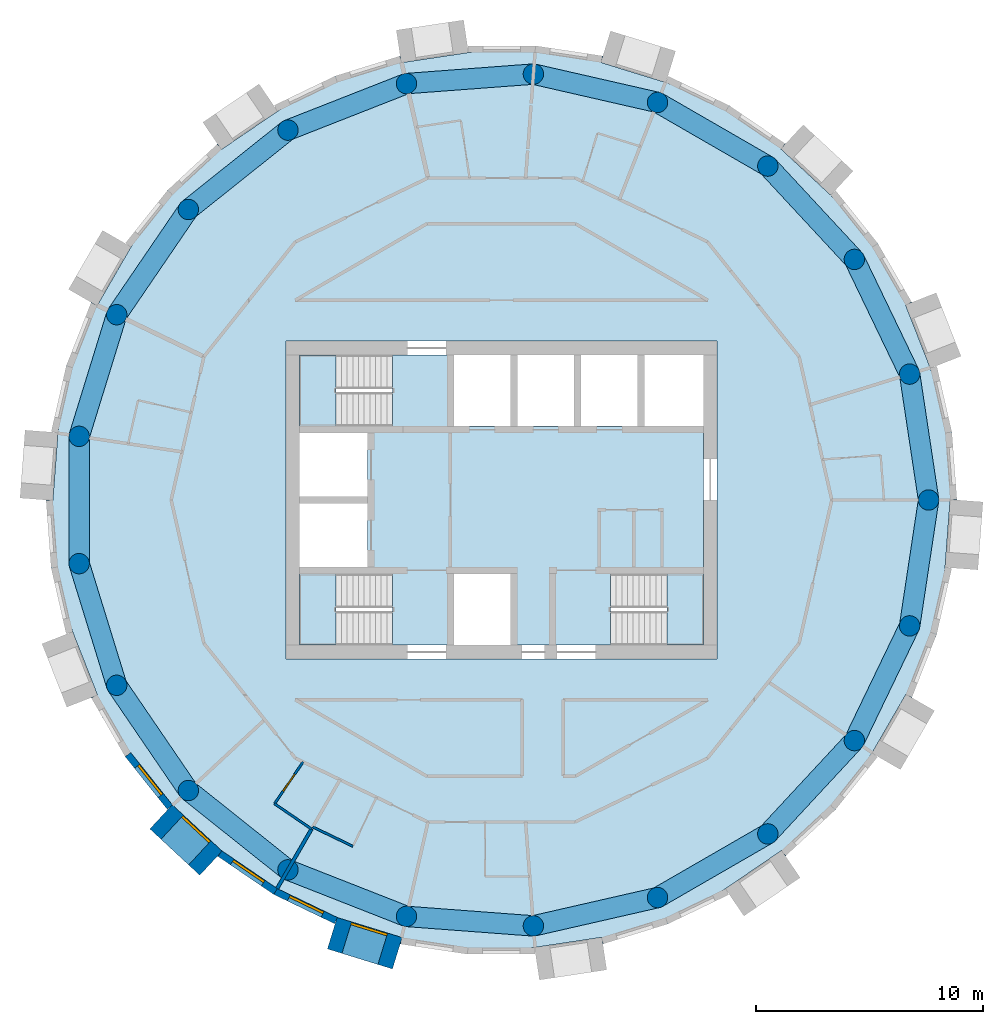
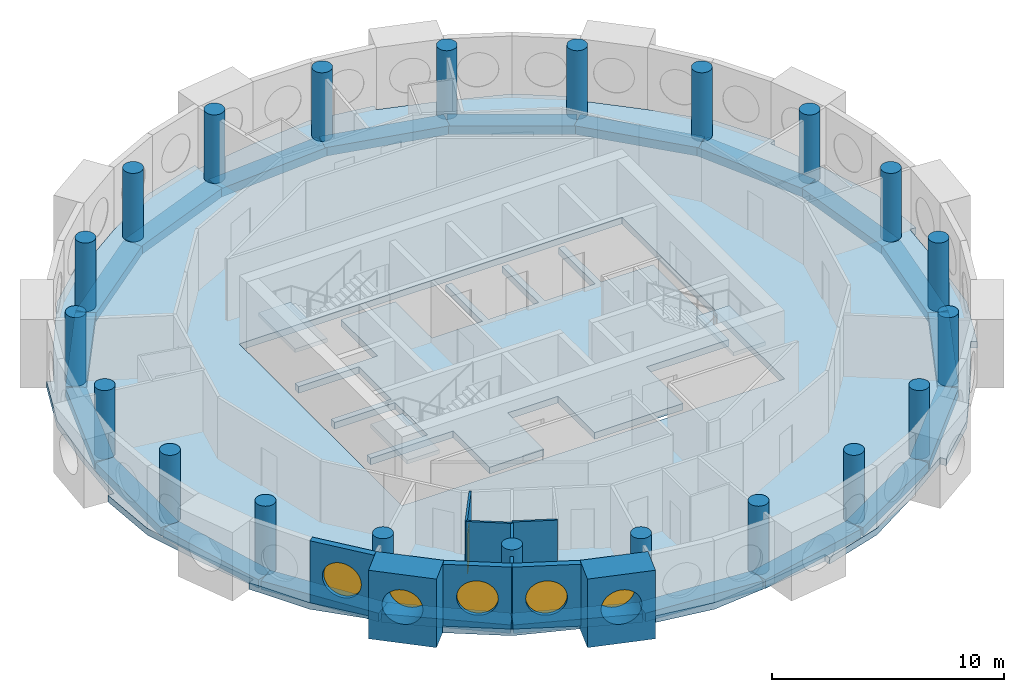
# One storey, part 1 of 13: 21 beams, 21 columns, 9 walls, 5 slabs, 5 windows, 1 door, 6 openings, 3 elements without a shape of their own.
"""IFC4 building model written with IfcOpenShell, lengths in metres."""

from ifc_helpers import new_model, si_unit, direction, frame, frame_2d, origin, origin_2d, place, context, subcontext, project, spatial, polyline, rectangle, circle, outline, extrude, material, layer, layer_set, material_profile, profile_set, type_object, element, fill, aggregate, save


model = new_model("IFC4")

# Units and contexts
model_context = context("Model", 3, precision=1e-05, world=origin(), true_north=direction((0.0, 1.0)))
body_context = subcontext(model_context, "Body", "Model", "MODEL_VIEW")
ifc_project = project(units=[si_unit("LENGTHUNIT", "METRE"), si_unit("AREAUNIT", "SQUARE_METRE"), si_unit("VOLUMEUNIT", "CUBIC_METRE"), si_unit("PLANEANGLEUNIT", "RADIAN"), si_unit("MASSUNIT", "GRAM", prefix="KILO")], contexts=[model_context])

# Site, building, storey
site_placement = place(None, origin())
site = spatial("IfcSite", under=ifc_project, at=site_placement, CompositionType="ELEMENT")
building_placement = place(site_placement, origin())
building = spatial("IfcBuilding", under=site, at=building_placement, Name="Tracery Tower", CompositionType="ELEMENT")
storey_placement = place(building_placement, frame((0.0, 0.0, 294.60009765625)))
storey = spatial("IfcBuildingStorey", under=building, at=storey_placement, Name="L76", CompositionType="ELEMENT", Elevation=294.60009765625)

# Columns
ifc_material_1 = material(Name="Concrete C40/50", Category="concrete")
ifc_material_profile_1 = material_profile(ifc_material_1, circle(Radius=0.449951171875, at=origin_2d()), Name="RC D900")
ifc_profile_set_1 = profile_set([ifc_material_profile_1], Name="Concrete C40/50")
column_type = type_object("IfcColumnType", Name="Ring 2 column 900", PredefinedType="COLUMN", material=ifc_profile_set_1)
for number, where, z_axis, x_axis, name in (
    (1, (18.822265625, 0.0, 0.0), (0.0, 0.0, 1.0), (1.0, 0.0, 0.0), "Ring 2 column 00 at L76"),
    (2, (17.986083984375, 5.5478515625, 0.0), (0.0, 0.0, 1.0), (1.0, 0.0, 0.0), "Ring 2 column 01 at L76"),
    (3, (15.551513671875, 10.602783203125, 0.0), (0.0, 0.0, 1.0), (1.0, 0.0, 0.0), "Ring 2 column 02 at L76"),
    (4, (11.7353515625, 14.7158203125, 0.0), (0.0, 0.0, 1.0), (1.0, 0.0, 0.0), "Ring 2 column 03 at L76"),
    (5, (6.87646484375, 17.52099609375, 0.0), (0.0, 0.0, 1.0), (1.0, 0.0, 0.0), "Ring 2 column 04 at L76"),
    (6, (1.406494140625, 18.76953125, 0.0), (0.0, 0.0, 1.0), (1.0, 0.0, 0.0), "Ring 2 column 05 at L76"),
    (7, (-4.188232421875, 18.350341796875, 0.0), (0.0, 0.0, 1.0), (1.0, 0.0, 0.0), "Ring 2 column 06 at L76"),
    (8, (-9.4111328125, 16.300537109375, 0.0), (0.0, 0.0, 1.0), (1.0, 0.0, 0.0), "Ring 2 column 07 at L76"),
    (9, (-13.797607421875, 12.802490234375, 0.0), (0.0, 0.0, 1.0), (1.0, 0.0, 0.0), "Ring 2 column 08 at L76"),
    (10, (-16.958251953125, 8.16650390625, 0.0), (0.0, 0.0, 1.0), (1.0, 0.0, 0.0), "Ring 2 column 09 at L76"),
    (11, (-18.612060546875, 2.805419921875, 0.0), (0.0, 0.0, 1.0), (1.0, 0.0, 0.0), "Ring 2 column 10 at L76"),
    (12, (-18.612060546875, -2.805419921875, 0.0), (0.0, 0.0, 1.0), (1.0, 0.0, 0.0), "Ring 2 column 11 at L76"),
    (13, (-16.958251953125, -8.166748046875, 0.0), (0.0, 0.0, 1.0), (1.0, 0.0, 0.0), "Ring 2 column 12 at L76"),
    (14, (-13.797607421875, -12.80224609375, 0.0), (0.0, 0.0, 1.0), (1.0, 0.0, 0.0), "Ring 2 column 13 at L76"),
    (15, (-9.4111328125, -16.300537109375, 0.0), (0.0, 0.0, 1.0), (1.0, 0.0, 0.0), "Ring 2 column 14 at L76"),
    (16, (-4.188232421875, -18.350341796875, 0.0), (0.0, 0.0, 1.0), (1.0, 0.0, 0.0), "Ring 2 column 15 at L76"),
    (17, (1.406494140625, -18.76953125, 0.0), (0.0, 0.0, 1.0), (1.0, 0.0, 0.0), "Ring 2 column 16 at L76"),
    (18, (6.87646484375, -17.52099609375, 0.0), (0.0, 0.0, 1.0), (1.0, 0.0, 0.0), "Ring 2 column 17 at L76"),
    (19, (11.7353515625, -14.7158203125, 0.0), (0.0, 0.0, 1.0), (1.0, 0.0, 0.0), "Ring 2 column 18 at L76"),
    (20, (15.551513671875, -10.602783203125, 0.0), (0.0, 0.0, 1.0), (1.0, 0.0, 0.0), "Ring 2 column 19 at L76"),
    (21, (17.986083984375, -5.5478515625, 0.0), (0.0, 0.0, 1.0), (1.0, 0.0, 0.0), "Ring 2 column 20 at L76"),
):
    element("IfcColumn", number, at=place(storey_placement, frame(where, z_axis=z_axis, x_axis=x_axis)), inside=storey, type_object=column_type, Name=name, PredefinedType="COLUMN", context=body_context, shape_type="SweptSolid", body=[
        extrude(circle(Radius=0.449951171875, at=origin_2d()), origin(), (0.0, 0.0, 1.0), 3.599853515625),
    ])

# Beams
ifc_material_2 = material(Name="Concrete C40/50", Category="concrete")
ifc_material_profile_2 = material_profile(ifc_material_2, rectangle(XDim=0.89990234375, YDim=0.449951171875, at=origin_2d()), Name="RC 900x450")
ifc_profile_set_2 = profile_set([ifc_material_profile_2], Name="Concrete C40/50")
beam_type = type_object("IfcBeamType", Name="Perimeter band beam 900x450", PredefinedType="BEAM", material=ifc_profile_set_2)
for number, where, z_axis, x_axis, name in (
    (22, (18.822265625, 0.0, -0.5751953125), (-0.149038355855, 0.988831415603, 0.0), (-0.988831415603, -0.149038355855, 0.0), "Perimeter beam 2.00 under L76"),
    (23, (17.986083984375, 5.5478515625, -0.5751953125), (-0.433918973155, 0.900951899235, 0.0), (-0.900951899235, -0.433918973155, 0.0), "Perimeter beam 2.01 under L76"),
):
    element("IfcBeam", number, at=place(storey_placement, frame(where, z_axis=z_axis, x_axis=x_axis)), inside=storey, type_object=beam_type, Name=name, PredefinedType="BEAM", context=body_context, shape_type="SweptSolid", body=[
        extrude(rectangle(XDim=0.89990234375, YDim=0.449951171875, at=origin_2d()), origin(), (0.0, 0.0, 1.0), 5.610595703125),
    ])
beam_1_placement = place(storey_placement, frame((15.551513671875, 10.602783203125, -0.5751953125), z_axis=(-0.680155630824, 0.733067744386, 0.0), x_axis=(-0.733067744386, -0.680155630824, 0.0)))
element("IfcBeam", 24, at=beam_1_placement, inside=storey, type_object=beam_type, Name="Perimeter beam 2.02 under L76", PredefinedType="BEAM", context=body_context, shape_type="SweptSolid", body=[
    extrude(rectangle(XDim=0.89990234375, YDim=0.449951171875, at=origin_2d()), origin(), (0.0, 0.0, 1.0), 5.61083984375),
])
for number, where, z_axis, x_axis, name in (
    (25, (11.7353515625, 14.7158203125, -0.5751953125), (-0.866033412818, 0.49998612769, 0.0), (-0.49998612769, -0.866033412818, 0.0), "Perimeter beam 2.03 under L76"),
    (26, (6.87646484375, 17.52099609375, -0.5751953125), (-0.974925977366, 0.222529410768, 0.0), (-0.222529410768, -0.974925977366, 0.0), "Perimeter beam 2.04 under L76"),
):
    element("IfcBeam", number, at=place(storey_placement, frame(where, z_axis=z_axis, x_axis=x_axis)), inside=storey, type_object=beam_type, Name=name, PredefinedType="BEAM", context=body_context, shape_type="SweptSolid", body=[
        extrude(rectangle(XDim=0.89990234375, YDim=0.449951171875, at=origin_2d()), origin(), (0.0, 0.0, 1.0), 5.610595703125),
    ])
beam_2_placement = place(storey_placement, frame((1.406494140625, 18.76953125, -0.5751953125), z_axis=(-0.997204824387, -0.07471638521, 0.0), x_axis=(0.07471638521, -0.997204824387, 0.0)))
element("IfcBeam", 27, at=beam_2_placement, inside=storey, type_object=beam_type, Name="Perimeter beam 2.05 under L76", PredefinedType="BEAM", context=body_context, shape_type="SweptSolid", body=[
    extrude(rectangle(XDim=0.89990234375, YDim=0.449951171875, at=origin_2d()), origin(), (0.0, 0.0, 1.0), 5.6103515625),
])
beam_3_placement = place(storey_placement, frame((-4.188232421875, 18.350341796875, -0.5751953125), z_axis=(-0.930875728468, -0.365335979817, 0.0), x_axis=(0.365335979817, -0.930875728468, 0.0)))
element("IfcBeam", 28, at=beam_3_placement, inside=storey, type_object=beam_type, Name="Perimeter beam 2.06 under L76", PredefinedType="BEAM", context=body_context, shape_type="SweptSolid", body=[
    extrude(rectangle(XDim=0.89990234375, YDim=0.449951171875, at=origin_2d()), origin(), (0.0, 0.0, 1.0), 5.61083984375),
])
beam_4_placement = place(storey_placement, frame((-9.4111328125, 16.300537109375, -0.5751953125), z_axis=(-0.781835817725, -0.623484365579, 0.0), x_axis=(0.623484365579, -0.781835817725, 0.0)))
element("IfcBeam", 29, at=beam_4_placement, inside=storey, type_object=beam_type, Name="Perimeter beam 2.07 under L76", PredefinedType="BEAM", context=body_context, shape_type="SweptSolid", body=[
    extrude(rectangle(XDim=0.89990234375, YDim=0.449951171875, at=origin_2d()), origin(), (0.0, 0.0, 1.0), 5.610595703125),
])
beam_5_placement = place(storey_placement, frame((-13.797607421875, 12.802490234375, -0.5751953125), z_axis=(-0.563305770578, -0.826248515178, 0.0), x_axis=(0.826248515178, -0.563305770578, 0.0)))
element("IfcBeam", 30, at=beam_5_placement, inside=storey, type_object=beam_type, Name="Perimeter beam 2.08 under L76", PredefinedType="BEAM", context=body_context, shape_type="SweptSolid", body=[
    extrude(rectangle(XDim=0.89990234375, YDim=0.449951171875, at=origin_2d()), origin(), (0.0, 0.0, 1.0), 5.61083984375),
])
beam_6_placement = place(storey_placement, frame((-16.958251953125, 8.16650390625, -0.5751953125), z_axis=(-0.294776851839, -0.955566118916, 0.0), x_axis=(0.955566118916, -0.294776851839, 0.0)))
element("IfcBeam", 31, at=beam_6_placement, inside=storey, type_object=beam_type, Name="Perimeter beam 2.09 under L76", PredefinedType="BEAM", context=body_context, shape_type="SweptSolid", body=[
    extrude(rectangle(XDim=0.89990234375, YDim=0.449951171875, at=origin_2d()), origin(), (0.0, 0.0, 1.0), 5.6103515625),
])
beam_7_placement = place(storey_placement, frame((-18.612060546875, 2.805419921875, -0.5751953125), z_axis=(0.0, -1.0, 0.0), x_axis=(1.0, 0.0, 0.0)))
element("IfcBeam", 32, at=beam_7_placement, inside=storey, type_object=beam_type, Name="Perimeter beam 2.10 under L76", PredefinedType="BEAM", context=body_context, shape_type="SweptSolid", body=[
    extrude(rectangle(XDim=0.89990234375, YDim=0.449951171875, at=origin_2d()), origin(), (0.0, 0.0, 1.0), 5.61083984375),
])
for number, where, z_axis, x_axis, name in (
    (33, (-18.612060546875, -2.805419921875, -0.5751953125), (0.294764594813, -0.955569899926, 0.0), (0.955569899926, 0.294764594813, 0.0), "Perimeter beam 2.11 under L76"),
    (34, (-16.958251953125, -8.166748046875, -0.5751953125), (0.5633462764, -0.826220898348, 0.0), (0.826220898348, 0.5633462764, 0.0), "Perimeter beam 2.12 under L76"),
    (35, (-13.797607421875, -12.80224609375, -0.5751953125), (0.781814605872, -0.623510963853, 0.0), (0.623510963853, 0.781814605872, 0.0), "Perimeter beam 2.13 under L76"),
):
    element("IfcBeam", number, at=place(storey_placement, frame(where, z_axis=z_axis, x_axis=x_axis)), inside=storey, type_object=beam_type, Name=name, PredefinedType="BEAM", context=body_context, shape_type="SweptSolid", body=[
        extrude(rectangle(XDim=0.89990234375, YDim=0.449951171875, at=origin_2d()), origin(), (0.0, 0.0, 1.0), 5.610595703125),
    ])
beam_8_placement = place(storey_placement, frame((-9.4111328125, -16.300537109375, -0.5751953125), z_axis=(0.930875728468, -0.365335979817, 0.0), x_axis=(0.365335979817, 0.930875728468, 0.0)))
element("IfcBeam", 36, at=beam_8_placement, inside=storey, type_object=beam_type, Name="Perimeter beam 2.14 under L76", PredefinedType="BEAM", context=body_context, shape_type="SweptSolid", body=[
    extrude(rectangle(XDim=0.89990234375, YDim=0.449951171875, at=origin_2d()), origin(), (0.0, 0.0, 1.0), 5.61083984375),
])
beam_9_placement = place(storey_placement, frame((-4.188232421875, -18.350341796875, -0.5751953125), z_axis=(0.997204824387, -0.07471638521, 0.0), x_axis=(0.07471638521, 0.997204824387, 0.0)))
element("IfcBeam", 37, at=beam_9_placement, inside=storey, type_object=beam_type, Name="Perimeter beam 2.15 under L76", PredefinedType="BEAM", context=body_context, shape_type="SweptSolid", body=[
    extrude(rectangle(XDim=0.89990234375, YDim=0.449951171875, at=origin_2d()), origin(), (0.0, 0.0, 1.0), 5.6103515625),
])
for number, where, z_axis, x_axis, name in (
    (38, (1.406494140625, -18.76953125, -0.5751953125), (0.974925977366, 0.222529410768, 0.0), (-0.222529410768, 0.974925977366, 0.0), "Perimeter beam 2.16 under L76"),
    (39, (6.87646484375, -17.52099609375, -0.5751953125), (0.866033412818, 0.49998612769, 0.0), (-0.49998612769, 0.866033412818, 0.0), "Perimeter beam 2.17 under L76"),
):
    element("IfcBeam", number, at=place(storey_placement, frame(where, z_axis=z_axis, x_axis=x_axis)), inside=storey, type_object=beam_type, Name=name, PredefinedType="BEAM", context=body_context, shape_type="SweptSolid", body=[
        extrude(rectangle(XDim=0.89990234375, YDim=0.449951171875, at=origin_2d()), origin(), (0.0, 0.0, 1.0), 5.610595703125),
    ])
beam_10_placement = place(storey_placement, frame((11.7353515625, -14.7158203125, -0.5751953125), z_axis=(0.680155630824, 0.733067744386, 0.0), x_axis=(-0.733067744386, 0.680155630824, 0.0)))
element("IfcBeam", 40, at=beam_10_placement, inside=storey, type_object=beam_type, Name="Perimeter beam 2.18 under L76", PredefinedType="BEAM", context=body_context, shape_type="SweptSolid", body=[
    extrude(rectangle(XDim=0.89990234375, YDim=0.449951171875, at=origin_2d()), origin(), (0.0, 0.0, 1.0), 5.61083984375),
])
for number, where, z_axis, x_axis, name in (
    (41, (15.551513671875, -10.602783203125, -0.5751953125), (0.433918973155, 0.900951899235, 0.0), (-0.900951899235, 0.433918973155, 0.0), "Perimeter beam 2.19 under L76"),
    (42, (17.986083984375, -5.5478515625, -0.5751953125), (0.149038355855, 0.988831415603, 0.0), (-0.988831415603, 0.149038355855, 0.0), "Perimeter beam 2.20 under L76"),
):
    element("IfcBeam", number, at=place(storey_placement, frame(where, z_axis=z_axis, x_axis=x_axis)), inside=storey, type_object=beam_type, Name=name, PredefinedType="BEAM", context=body_context, shape_type="SweptSolid", body=[
        extrude(rectangle(XDim=0.89990234375, YDim=0.449951171875, at=origin_2d()), origin(), (0.0, 0.0, 1.0), 5.610595703125),
    ])

# Slabs
ifc_material_3 = material(Name="Concrete C40/50", Category="concrete")
ifc_layer_1 = layer(ifc_material_3, 0.35009765625)
ifc_layer_set_1 = layer_set([ifc_layer_1], Name="Core floor slab 350 C40")
slab_type_1 = type_object("IfcSlabType", Name="Core floor slab 350 C40", PredefinedType="FLOOR", material=ifc_layer_set_1)
slab_1_placement = place(storey_placement, frame((0.0, 0.0, -0.35009765625)))
element("IfcSlab", 43, at=slab_1_placement, inside=storey, type_object=slab_type_1, Name="L76 core floor 1", PredefinedType="FLOOR", context=body_context, shape_type="SweptSolid", body=[
    extrude(outline(polyline([(-4.800537109375, -3.25), (-8.89990234375, -3.25), (-8.89990234375, -2.949951171875), (-5.89990234375, -2.949951171875), (-5.89990234375, -0.14990234375), (-8.89990234375, -0.14990234375), (-8.89990234375, 0.14990234375), (-5.89990234375, 0.14990234375), (-5.89990234375, 2.949951171875), (-8.89990234375, 2.949951171875), (-8.89990234375, 3.25), (-4.800537109375, 3.25), (-4.800537109375, 6.39990234375), (-2.10009765625, 6.39990234375), (-2.10009765625, 3.25), (0.39990234375, 3.25), (0.39990234375, 6.39990234375), (0.699951171875, 6.39990234375), (0.699951171875, 3.25), (3.199951171875, 3.25), (3.199951171875, 6.39990234375), (3.5, 6.39990234375), (3.5, 3.25), (6.0, 3.25), (6.0, 6.39990234375), (6.300048828125, 6.39990234375), (6.300048828125, 3.25), (8.89990234375, 3.25), (8.89990234375, -3.25), (4.800537109375, -3.25), (4.800537109375, -6.39990234375), (0.39990234375, -6.39990234375), (0.39990234375, -3.25), (-2.10009765625, -3.25), (-2.10009765625, -6.39990234375), (-4.800537109375, -6.39990234375), (-4.800537109375, -3.25)])), origin(), (0.0, 0.0, 1.0), 0.35009765625),
])
ifc_material_4 = material(Name="Concrete C40/50", Category="concrete")
ifc_layer_2 = layer(ifc_material_4, 0.35009765625)
ifc_layer_set_2 = layer_set([ifc_layer_2], Name="Floor slab 350")
slab_type_2 = type_object("IfcSlabType", Name="Floor slab 350", PredefinedType="FLOOR", material=ifc_layer_set_2)
slab_2_placement = place(storey_placement, frame((0.0, 0.0, -0.35009765625)))
element("IfcSlab", 44, at=slab_2_placement, inside=storey, type_object=slab_type_2, Name="Floor slab L76", PredefinedType="FLOOR", context=body_context, shape_type="SweptSolid", body=[
    extrude(outline(polyline([(18.89306640625, 5.827392578125), (17.80517578125, 8.599365234375), (18.084228515625, 8.708984375), (18.08447265625, 8.708984375), (16.58447265625, 11.30712890625), (14.493408203125, 13.447998046875), (12.3271484375, 15.4580078125), (12.3271484375, 15.4580078125), (12.310791015625, 15.47314453125), (12.5146484375, 15.69287109375), (12.514892578125, 15.693115234375), (10.0361328125, 17.383056640625), (7.223388671875, 18.404541015625), (4.3994140625, 19.275634765625), (4.3994140625, 19.275634765625), (4.378173828125, 19.2822265625), (4.466552734375, 19.56884765625), (1.5, 20.01611328125), (-1.47705078125, 19.716064453125), (-2.3466796875, 19.585205078125), (-4.3994140625, 19.275634765625), (-4.3994140625, 19.275634765625), (-4.421875, 19.272216796875), (-4.46630859375, 19.568603515625), (-4.466552734375, 19.56884765625), (-7.333251953125, 18.684814453125), (-9.885498046875, 17.12255859375), (-12.345703125, 15.4453125), (-12.514892578125, 15.693115234375), (-14.714111328125, 13.652587890625), (-16.335693359375, 11.13818359375), (-17.82470703125, 8.55908203125), (-18.08447265625, 8.708984375), (-19.180419921875, 5.91650390625), (-19.550537109375, 2.94677734375), (-19.63720703125, 1.789306640625), (-19.77294921875, -0.0224609375), (-20.072265625, 0.0), (-20.072265625, 0.0), (-19.847900390625, -2.99169921875), (-18.89306640625, -5.827392578125), (-17.80517578125, -8.599365234375), (-18.084228515625, -8.708984375), (-18.08447265625, -8.708984375), (-16.58447265625, -11.30712890625), (-14.493408203125, -13.447998046875), (-12.3271484375, -15.4580078125), (-12.3271484375, -15.4580078125), (-12.310791015625, -15.47314453125), (-12.5146484375, -15.69287109375), (-12.514892578125, -15.693115234375), (-10.0361328125, -17.383056640625), (-7.223388671875, -18.404541015625), (-4.3994140625, -19.275634765625), (-4.3994140625, -19.275634765625), (-4.378173828125, -19.2822265625), (-4.466552734375, -19.56884765625), (-1.5, -20.01611328125), (1.47705078125, -19.716064453125), (2.3466796875, -19.585205078125), (4.3994140625, -19.275634765625), (4.3994140625, -19.275634765625), (4.421875, -19.272216796875), (4.46630859375, -19.568603515625), (4.466552734375, -19.56884765625), (7.333251953125, -18.684814453125), (9.885498046875, -17.12255859375), (12.345703125, -15.4453125), (12.514892578125, -15.693115234375), (14.714111328125, -13.652587890625), (16.335693359375, -11.13818359375), (17.82470703125, -8.55908203125), (18.08447265625, -8.708984375), (19.180419921875, -5.91650390625), (19.550537109375, -2.94677734375), (19.63720703125, -1.789306640625), (19.77294921875, 0.0224609375), (20.072265625, 0.0), (19.847900390625, 2.99169921875), (18.89306640625, 5.827392578125)]), holes=[polyline([(-9.5, -7.0), (9.5, -7.0), (9.5, 7.0), (-9.5, 7.0), (-9.5, -7.0)])]), origin(), (0.0, 0.0, 1.0), 0.35009765625),
])

# Stair, slab
ifc_material_5 = material(Name="Concrete C32/40", Category="concrete")
stair_type = type_object("IfcStairType", Name="Core stair 22 risers", PredefinedType="HALF_TURN_STAIR", material=ifc_material_5)
stair_1_placement = place(storey_placement, origin())
stair_1 = element("IfcStair", 45, at=stair_1_placement, inside=storey, type_object=stair_type, Name="L76 stair ST1", PredefinedType="HALF_TURN_STAIR")
ifc_material_6 = material(Name="Concrete C32/40", Category="concrete")
ifc_layer_3 = layer(ifc_material_6, 0.199951171875)
ifc_layer_set_3 = layer_set([ifc_layer_3], Name="Stair landing slab 200")
slab_type_3 = type_object("IfcSlabType", Name="Stair landing slab 200", PredefinedType="LANDING", material=ifc_layer_set_3)
slab_3_placement = place(storey_placement, frame((0.0, 0.0, 1.599853515625)))
slab_3 = element("IfcSlab", 46, at=slab_3_placement, type_object=slab_type_3, Name="ST1 landing 1", PredefinedType="LANDING", context=body_context, shape_type="SweptSolid", body=[
    extrude(outline(polyline([(-7.29931640625, -3.25), (-8.89990234375, -3.25), (-8.89990234375, -6.39990234375), (-7.29931640625, -6.39990234375), (-7.29931640625, -3.25)])), origin(), (0.0, 0.0, 1.0), 0.199951171875),
])
aggregate(stair_1, [slab_3])

stair_2_placement = place(storey_placement, origin())
stair_2 = element("IfcStair", 47, at=stair_2_placement, inside=storey, type_object=stair_type, Name="L76 stair ST3", PredefinedType="HALF_TURN_STAIR")
slab_4_placement = place(storey_placement, frame((0.0, 0.0, 1.599853515625)))
slab_4 = element("IfcSlab", 48, at=slab_4_placement, type_object=slab_type_3, Name="ST3 landing 1", PredefinedType="LANDING", context=body_context, shape_type="SweptSolid", body=[
    extrude(outline(polyline([(-7.29931640625, 6.39990234375), (-8.89990234375, 6.39990234375), (-8.89990234375, 3.25), (-7.29931640625, 3.25), (-7.29931640625, 6.39990234375)])), origin(), (0.0, 0.0, 1.0), 0.199951171875),
])
aggregate(stair_2, [slab_4])

stair_3_placement = place(storey_placement, origin())
stair_3 = element("IfcStair", 49, at=stair_3_placement, inside=storey, type_object=stair_type, Name="L76 stair ST2", PredefinedType="HALF_TURN_STAIR")
slab_5_placement = place(storey_placement, frame((0.0, 0.0, 1.599853515625)))
slab_5 = element("IfcSlab", 50, at=slab_5_placement, type_object=slab_type_3, Name="ST2 landing 1", PredefinedType="LANDING", context=body_context, shape_type="SweptSolid", body=[
    extrude(outline(polyline([(7.29931640625, -6.39990234375), (8.89990234375, -6.39990234375), (8.89990234375, -3.25), (7.29931640625, -3.25), (7.29931640625, -6.39990234375)])), origin(), (0.0, 0.0, 1.0), 0.199951171875),
])
aggregate(stair_3, [slab_5])

# Wall, opening, window
ifc_material_7 = material(Name="Precast concrete C50/60", Category="concrete")
ifc_layer_4 = layer(ifc_material_7, 1.449951171875)
ifc_layer_set_4 = layer_set([ifc_layer_4], Name="Deep-set bay unit 3000 x 3600, slab edge 350")
wall_type_1 = type_object("IfcWallType", Name="Deep-set bay unit 3000 x 3600, slab edge 350", PredefinedType="ELEMENTEDWALL", material=ifc_layer_set_4)
wall_1_placement = place(storey_placement, frame((-15.0029296875, -13.964111328125, -0.35009765625), z_axis=(0.0, 0.0, 1.0), x_axis=(0.733022439167, -0.680204457261, 0.0)))
wall_1 = element("IfcWall", 51, at=wall_1_placement, inside=storey, type_object=wall_type_1, Name="Deep-set bay unit 27 at L76", PredefinedType="ELEMENTEDWALL", context=body_context, shape_type="SweptSolid", body=[
    extrude(rectangle(XDim=2.999755859375, YDim=1.449951171875, at=frame_2d((1.5, 0.0))), origin(), (0.0, 0.0, 1.0), 3.60009765625),
])
opening_1_placement = place(wall_1_placement, frame((1.5, 0.0, 1.89990234375)))
opening_1 = element("IfcOpeningElement", 52, at=opening_1_placement, cuts=wall_1, Name="Opening WN1", PredefinedType="OPENING", context=body_context, shape_type="SweptSolid", body=[
    extrude(circle(Radius=0.9000244140625, at=origin_2d()), frame((0.0, 0.73486328125, 0.0), z_axis=(0.0, -1.0, 0.0), x_axis=(1.0, 0.0, 0.0)), (0.0, 0.0, 1.0), 1.469970703125),
])
ifc_material_8 = material(Name="Aluminium frame with tinted double glazing", Category="aluminium")
window_type = type_object("IfcWindowType", Name="Round window 1800", PartitioningType="SINGLE_PANEL", PredefinedType="WINDOW", material=ifc_material_8)
window_1_placement = place(opening_1_placement, origin())
window_1 = element("IfcWindow", 53, at=window_1_placement, inside=storey, type_object=window_type, Name="Round window 27 at L76", OverallHeight=1.800048828125, OverallWidth=1.800048828125, PartitioningType="SINGLE_PANEL", PredefinedType="WINDOW", context=body_context, shape_type="SweptSolid", body=[
    extrude(circle(Radius=0.9000244140625, at=origin_2d()), frame((0.0, 0.69482421875, 0.0), z_axis=(0.0, -1.0, 0.0), x_axis=(1.0, 0.0, 0.0)), (0.0, 0.0, 1.0), 0.10009765625),
])
fill(opening_1, window_1)

wall_2_placement = place(storey_placement, frame((-7.45849609375, -19.0908203125, -0.35009765625), z_axis=(0.0, 0.0, 1.0), x_axis=(0.955571139978, -0.294760574774, 0.0)))
wall_2 = element("IfcWall", 54, at=wall_2_placement, inside=storey, type_object=wall_type_1, Name="Deep-set bay unit 30 at L76", PredefinedType="ELEMENTEDWALL", context=body_context, shape_type="SweptSolid", body=[
    extrude(rectangle(XDim=3.0, YDim=1.449951171875, at=frame_2d((1.5, 0.0))), origin(), (0.0, 0.0, 1.0), 3.60009765625),
])
opening_2_placement = place(wall_2_placement, frame((1.5, 0.0, 1.89990234375)))
opening_2 = element("IfcOpeningElement", 55, at=opening_2_placement, cuts=wall_2, Name="Opening WN1", PredefinedType="OPENING", context=body_context, shape_type="SweptSolid", body=[
    extrude(circle(Radius=0.9000244140625, at=origin_2d()), frame((0.0, 0.73486328125, 0.0), z_axis=(0.0, -1.0, 0.0), x_axis=(1.0, 0.0, 0.0)), (0.0, 0.0, 1.0), 1.469970703125),
])
window_2_placement = place(opening_2_placement, origin())
window_2 = element("IfcWindow", 56, at=window_2_placement, inside=storey, type_object=window_type, Name="Round window 30 at L76", OverallHeight=1.800048828125, OverallWidth=1.800048828125, PartitioningType="SINGLE_PANEL", PredefinedType="WINDOW", context=body_context, shape_type="SweptSolid", body=[
    extrude(circle(Radius=0.9000244140625, at=origin_2d()), frame((0.0, 0.69482421875, 0.0), z_axis=(0.0, -1.0, 0.0), x_axis=(1.0, 0.0, 0.0)), (0.0, 0.0, 1.0), 0.10009765625),
])
fill(opening_2, window_2)

ifc_material_9 = material(Name="Precast concrete C50/60", Category="concrete")
ifc_layer_5 = layer(ifc_material_9, 0.300048828125)
ifc_layer_set_5 = layer_set([ifc_layer_5], Name="Facade panel 3000 x 3250")
wall_type_2 = type_object("IfcWallType", Name="Facade panel 3000 x 3250", PredefinedType="SOLIDWALL", material=ifc_layer_set_5)
wall_3_placement = place(storey_placement, frame((-16.460205078125, -11.222412109375, 0.0), z_axis=(0.0, 0.0, 1.0), x_axis=(0.623498236992, -0.781824755599, 0.0)))
wall_3 = element("IfcWall", 57, at=wall_3_placement, inside=storey, type_object=wall_type_2, Name="Facade panel 26 at L76", PredefinedType="SOLIDWALL", context=body_context, shape_type="SweptSolid", body=[
    extrude(rectangle(XDim=2.962158203125, YDim=0.300048828125, at=frame_2d((1.48095703125, 0.0))), origin(), (0.0, 0.0, 1.0), 3.25),
])
opening_3_placement = place(wall_3_placement, frame((1.48095703125, 0.0, 1.5498046875)))
opening_3 = element("IfcOpeningElement", 58, at=opening_3_placement, cuts=wall_3, Name="Opening WN1", PredefinedType="OPENING", context=body_context, shape_type="SweptSolid", body=[
    extrude(circle(Radius=0.9000244140625, at=origin_2d()), frame((0.0, 0.159912109375, 0.0), z_axis=(0.0, -1.0, 0.0), x_axis=(1.0, 0.0, 0.0)), (0.0, 0.0, 1.0), 0.320068359375),
])
window_3_placement = place(opening_3_placement, origin())
window_3 = element("IfcWindow", 59, at=window_3_placement, inside=storey, type_object=window_type, Name="Round window 26 at L76", OverallHeight=1.800048828125, OverallWidth=1.800048828125, PartitioningType="SINGLE_PANEL", PredefinedType="WINDOW", context=body_context, shape_type="SweptSolid", body=[
    extrude(circle(Radius=0.9000244140625, at=origin_2d()), frame((0.0, 0.1201171875, 0.0), z_axis=(0.0, -1.0, 0.0), x_axis=(1.0, 0.0, 0.0)), (0.0, 0.0, 1.0), 0.10009765625),
])
fill(opening_3, window_3)

wall_4_placement = place(storey_placement, frame((-12.408447265625, -15.583984375, 0.0), z_axis=(0.0, 0.0, 1.0), x_axis=(0.826236061068, -0.563324037646, 0.0)))
wall_4 = element("IfcWall", 60, at=wall_4_placement, inside=storey, type_object=wall_type_2, Name="Facade panel 28 at L76", PredefinedType="SOLIDWALL", context=body_context, shape_type="SweptSolid", body=[
    extrude(rectangle(XDim=2.962158203125, YDim=0.300048828125, at=frame_2d((1.48095703125, 0.0))), origin(), (0.0, 0.0, 1.0), 3.25),
])
opening_4_placement = place(wall_4_placement, frame((1.48095703125, 0.0, 1.5498046875)))
opening_4 = element("IfcOpeningElement", 61, at=opening_4_placement, cuts=wall_4, Name="Opening WN1", PredefinedType="OPENING", context=body_context, shape_type="SweptSolid", body=[
    extrude(circle(Radius=0.9000244140625, at=origin_2d()), frame((0.0, 0.159912109375, 0.0), z_axis=(0.0, -1.0, 0.0), x_axis=(1.0, 0.0, 0.0)), (0.0, 0.0, 1.0), 0.320068359375),
])
window_4_placement = place(opening_4_placement, origin())
window_4 = element("IfcWindow", 62, at=window_4_placement, inside=storey, type_object=window_type, Name="Round window 28 at L76", OverallHeight=1.800048828125, OverallWidth=1.800048828125, PartitioningType="SINGLE_PANEL", PredefinedType="WINDOW", context=body_context, shape_type="SweptSolid", body=[
    extrude(circle(Radius=0.9000244140625, at=origin_2d()), frame((0.0, 0.1201171875, 0.0), z_axis=(0.0, -1.0, 0.0), x_axis=(1.0, 0.0, 0.0)), (0.0, 0.0, 1.0), 0.10009765625),
])
fill(opening_4, window_4)

wall_5_placement = place(storey_placement, frame((-9.9609375, -17.252685546875, 0.0), z_axis=(0.0, 0.0, 1.0), x_axis=(0.90095513435, -0.433912255978, 0.0)))
wall_5 = element("IfcWall", 63, at=wall_5_placement, inside=storey, type_object=wall_type_2, Name="Facade panel 29 at L76", PredefinedType="SOLIDWALL", context=body_context, shape_type="SweptSolid", body=[
    extrude(rectangle(XDim=2.96240234375, YDim=0.300048828125, at=frame_2d((1.481201171875, 0.0))), origin(), (0.0, 0.0, 1.0), 3.25),
])
opening_5_placement = place(wall_5_placement, frame((1.48095703125, 0.0, 1.5498046875)))
opening_5 = element("IfcOpeningElement", 64, at=opening_5_placement, cuts=wall_5, Name="Opening WN1", PredefinedType="OPENING", context=body_context, shape_type="SweptSolid", body=[
    extrude(circle(Radius=0.9000244140625, at=origin_2d()), frame((0.0, 0.159912109375, 0.0), z_axis=(0.0, -1.0, 0.0), x_axis=(1.0, 0.0, 0.0)), (0.0, 0.0, 1.0), 0.320068359375),
])
window_5_placement = place(opening_5_placement, origin())
window_5 = element("IfcWindow", 65, at=window_5_placement, inside=storey, type_object=window_type, Name="Round window 29 at L76", OverallHeight=1.800048828125, OverallWidth=1.800048828125, PartitioningType="SINGLE_PANEL", PredefinedType="WINDOW", context=body_context, shape_type="SweptSolid", body=[
    extrude(circle(Radius=0.9000244140625, at=origin_2d()), frame((0.0, 0.1201171875, 0.0), z_axis=(0.0, -1.0, 0.0), x_axis=(1.0, 0.0, 0.0)), (0.0, 0.0, 1.0), 0.10009765625),
])
fill(opening_5, window_5)

# Wall, opening, door
ifc_material_10 = material(Name="Plasterboard on steel studs", Category="steel")
ifc_layer_6 = layer(ifc_material_10, 0.10009765625)
ifc_layer_set_6 = layer_set([ifc_layer_6], Name="Partition 100 wet wall")
wall_type_3 = type_object("IfcWallType", Name="Partition 100 wet wall", PredefinedType="PARTITIONING", material=ifc_layer_set_6)
wall_6_placement = place(storey_placement, frame((-10.001953125, -13.386962890625, 0.0), z_axis=(0.0, 0.0, 1.0), x_axis=(0.563469042551, 0.826137178734, 0.0)))
wall_6 = element("IfcWall", 66, at=wall_6_placement, inside=storey, type_object=wall_type_3, Name="Wet wall RC7-061", PredefinedType="PARTITIONING", context=body_context, shape_type="SweptSolid", body=[
    extrude(rectangle(XDim=2.234375, YDim=0.10009765625, at=frame_2d((1.1171875, 0.0))), origin(), (0.0, 0.0, 1.0), 3.25),
])
opening_6_placement = place(wall_6_placement, frame((0.66748046875, 0.0, 0.0)))
opening_6 = element("IfcOpeningElement", 67, at=opening_6_placement, cuts=wall_6, Name="Opening RC7-15", PredefinedType="OPENING", context=body_context, shape_type="SweptSolid", body=[
    extrude(rectangle(XDim=0.89990234375, YDim=2.0400390625, at=frame_2d((0.449951171875, 1.02001953125))), frame((0.0, 0.050048828125, 0.0), z_axis=(0.0, -1.0, 0.0), x_axis=(1.0, 0.0, 0.0)), (0.0, 0.0, 1.0), 0.10009765625),
])
ifc_material_11 = material(Name="Timber door leaf", Category="wood")
door_type = type_object("IfcDoorType", Name="Door en-suite 900", OperationType="NOTDEFINED", PredefinedType="DOOR", material=ifc_material_11)
door_placement = place(opening_6_placement, origin())
door = element("IfcDoor", 68, at=door_placement, inside=storey, type_object=door_type, Name="En-suite door RC7-15", OperationType="SINGLE_SWING_LEFT", OverallHeight=2.0400390625, OverallWidth=0.89990234375, PredefinedType="DOOR", context=body_context, shape_type="SweptSolid", body=[
    extrude(rectangle(XDim=0.89990234375, YDim=2.0400390625, at=frame_2d((0.449951171875, 1.02001953125))), frame((0.0, 0.02490234375, 0.0), z_axis=(0.0, -1.0, 0.0), x_axis=(1.0, 0.0, 0.0)), (0.0, 0.0, 1.0), 0.050048828125),
])
fill(opening_6, door)

# Walls
wall_7_placement = place(storey_placement, frame((-10.001953125, -13.386962890625, 0.0), z_axis=(0.0, 0.0, 1.0), x_axis=(0.82620117489, -0.563375202339, 0.0)))
element("IfcWall", 69, at=wall_7_placement, inside=storey, type_object=wall_type_3, Name="Wet wall RC7-062", PredefinedType="PARTITIONING", context=body_context, shape_type="SweptSolid", body=[
    extrude(rectangle(XDim=1.973876953125, YDim=0.10009765625, at=frame_2d((0.98681640625, 0.0))), origin(), (0.0, 0.0, 1.0), 3.25),
])
wall_8_placement = place(storey_placement, frame((-8.319091796875, -14.408935546875, 0.0), z_axis=(0.0, 0.0, 1.0), x_axis=(0.900936932599, -0.433950047216, 0.0)))
element("IfcWall", 70, at=wall_8_placement, inside=storey, type_object=wall_type_3, Name="Wet wall RC7-065", PredefinedType="PARTITIONING", context=body_context, shape_type="SweptSolid", body=[
    extrude(rectangle(XDim=1.9658203125, YDim=0.10009765625, at=frame_2d((0.98291015625, 0.0))), origin(), (0.0, 0.0, 1.0), 3.25),
])
ifc_material_12 = material(Name="Plasterboard on steel studs", Category="steel")
ifc_layer_7 = layer(ifc_material_12, 0.14990234375)
ifc_layer_set_7 = layer_set([ifc_layer_7], Name="Partition 150 acoustic unit wall")
wall_type_4 = type_object("IfcWallType", Name="Partition 150 acoustic unit wall", PredefinedType="PARTITIONING", material=ifc_layer_set_7)
wall_9_placement = place(storey_placement, frame((-9.885986328125, -17.1220703125, 0.0), z_axis=(0.0, 0.0, 1.0), x_axis=(0.500117793536, 0.865957384972, 0.0)))
element("IfcWall", 71, at=wall_9_placement, inside=storey, type_object=wall_type_4, Name="Unit wall RC7-063", PredefinedType="PARTITIONING", context=body_context, shape_type="SweptSolid", body=[
    extrude(rectangle(XDim=3.029052734375, YDim=0.14990234375, at=frame_2d((1.5146484375, 0.0))), origin(), (0.0, 0.0, 1.0), 3.25),
])

save(model, "model.ifc")
